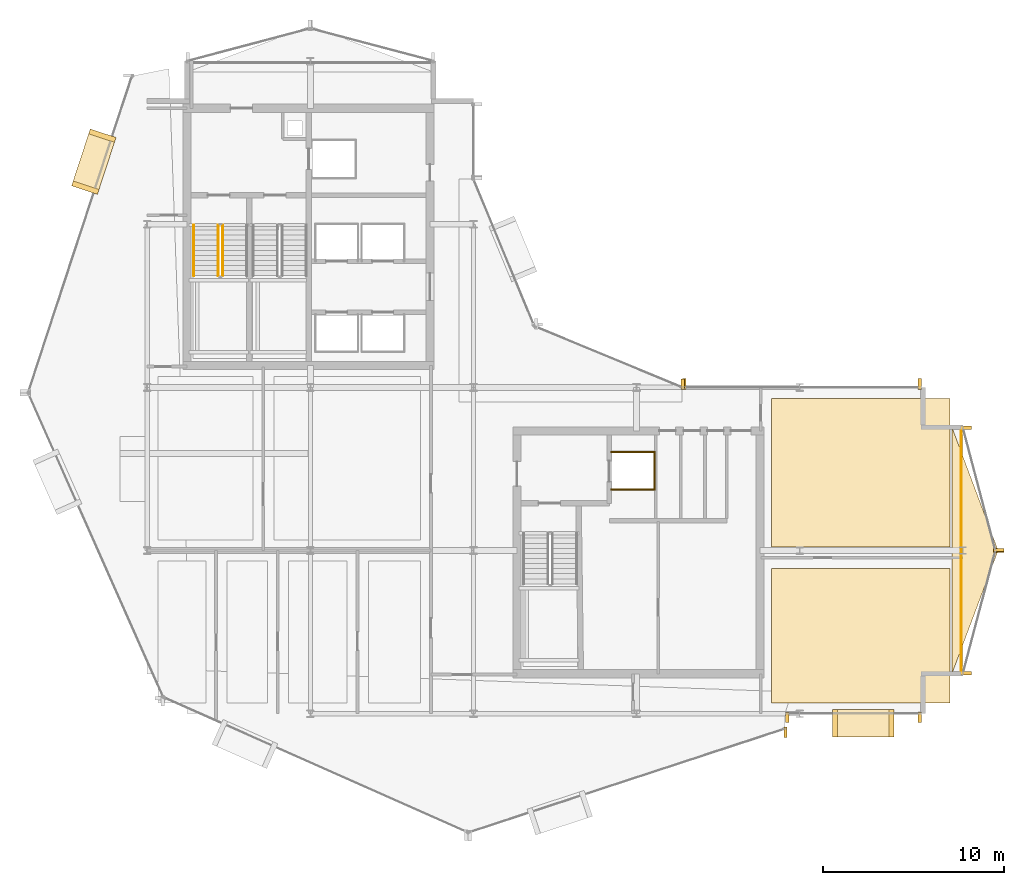
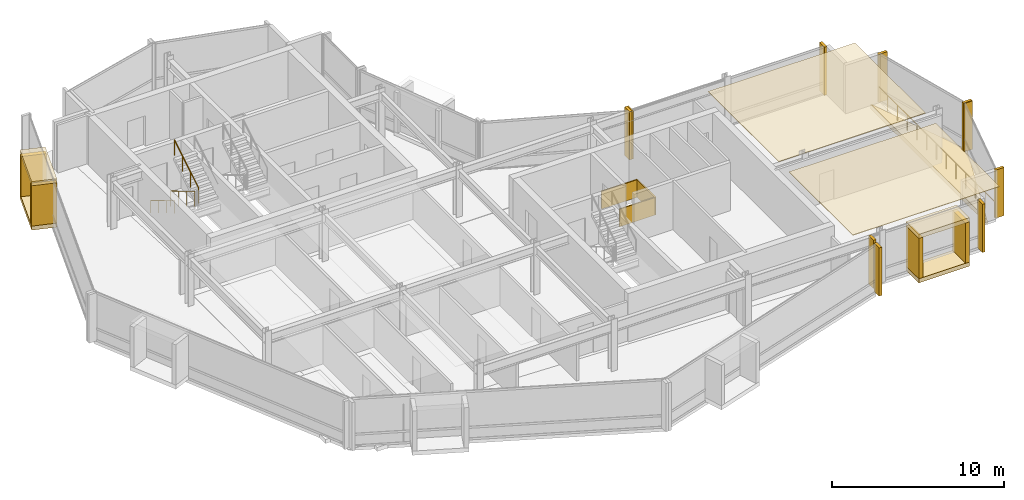
# One storey, part 26 of 27: 24 coverings, 4 railings.
"""IFC4 building model written with IfcOpenShell, lengths in metres."""

from ifc_helpers import new_model, si_unit, direction, frame, origin, origin_2d, place, context, subcontext, project, spatial, polyline, rectangle, circle, outline, extrude, material, layer, layer_set, type_object, element, save


model = new_model("IFC4")

# Units and contexts
model_context = context("Model", 3, precision=1e-05, world=origin(), true_north=direction((0.0, 1.0)))
body_context = subcontext(model_context, "Body", "Model", "MODEL_VIEW")
ifc_project = project(units=[si_unit("LENGTHUNIT", "METRE"), si_unit("AREAUNIT", "SQUARE_METRE"), si_unit("VOLUMEUNIT", "CUBIC_METRE"), si_unit("PLANEANGLEUNIT", "RADIAN"), si_unit("MASSUNIT", "GRAM", prefix="KILO")], contexts=[model_context])

# Site, building, storey
site_placement = place(None, origin())
site = spatial("IfcSite", under=ifc_project, at=site_placement, CompositionType="ELEMENT")
building_placement = place(site_placement, origin())
building = spatial("IfcBuilding", under=site, at=building_placement, Name="Solvaryn Broadcast Tower", CompositionType="ELEMENT")
storey_placement = place(building_placement, frame((0.0, 0.0, 224.699951171875)))
storey = spatial("IfcBuildingStorey", under=building, at=storey_placement, Name="L56", CompositionType="ELEMENT", Elevation=224.699951171875)

# Coverings
ifc_material_1 = material(Name="Micro-Perforated Acoustic Gypsum Ceiling", Category="concrete")
ifc_layer_1 = layer(ifc_material_1, 0.0400390625)
ifc_layer_set_1 = layer_set([ifc_layer_1], Name="CV-CEIL-ACOUSTIC")
covering_type_1 = type_object("IfcCoveringType", Name="CV-CEIL-ACOUSTIC", PredefinedType="CEILING", material=ifc_layer_set_1)
covering_1_placement = place(storey_placement, frame((0.0, 0.0, 3.380126953125)))
element("IfcCovering", 1, at=covering_1_placement, inside=storey, type_object=covering_type_1, Name="L56 Room Acoustic Ceiling 7", PredefinedType="CEILING", context=body_context, shape_type="SweptSolid", body=[
    extrude(outline(polyline([(43.449951171875, 9.60009765625), (53.300048828125, 9.60009765625), (53.300048828125, 17.0), (43.449951171875, 17.0), (43.449951171875, 9.60009765625)])), origin(), (0.0, 0.0, 1.0), 0.0400390625),
])
covering_2_placement = place(storey_placement, frame((0.0, 0.0, 3.380126953125)))
element("IfcCovering", 2, at=covering_2_placement, inside=storey, type_object=covering_type_1, Name="L56 Room Acoustic Ceiling 8", PredefinedType="CEILING", context=body_context, shape_type="SweptSolid", body=[
    extrude(outline(polyline([(43.449951171875, 18.199951171875), (53.300048828125, 18.199951171875), (53.300048828125, 26.39990234375), (43.449951171875, 26.39990234375), (43.449951171875, 18.199951171875)])), origin(), (0.0, 0.0, 1.0), 0.0400390625),
])
ifc_material_2 = material(Name="Fire-Rated Gypsum Shaftwall Liner", Category="concrete")
ifc_layer_2 = layer(ifc_material_2, 0.080078125)
ifc_layer_set_2 = layer_set([ifc_layer_2], Name="CV-SHAFT-LINER")
covering_type_2 = type_object("IfcCoveringType", Name="CV-SHAFT-LINER", PredefinedType="CLADDING", material=ifc_layer_set_2)
for number, where, z_axis, x_axis, name in (
    (3, (35.800048828125, 23.43994140625, 0.0), (0.0, 0.0, 1.0), (1.0, 0.0, 0.0), "L56 FL2 Hoistway Shaft Liner North"),
    (4, (35.800048828125, 21.360107421875, 0.0), (0.0, 0.0, 1.0), (1.0, 0.0, 0.0), "L56 FL2 Hoistway Shaft Liner South"),
):
    element("IfcCovering", number, at=place(storey_placement, frame(where, z_axis=z_axis, x_axis=x_axis)), inside=storey, type_object=covering_type_2, Name=name, PredefinedType="CLADDING", context=body_context, shape_type="SweptSolid", body=[
        extrude(rectangle(XDim=2.4599609375, YDim=0.080078125, at=origin_2d()), origin(), (0.0, 0.0, 1.0), 1.25),
    ])
covering_3_placement = place(storey_placement, frame((36.989990234375, 22.39990234375, 0.0), z_axis=(0.0, 0.0, 1.0), x_axis=(1.0, 0.0, 0.0)))
element("IfcCovering", 5, at=covering_3_placement, inside=storey, type_object=covering_type_2, Name="L56 FL2 Hoistway Shaft Liner East", PredefinedType="CLADDING", context=body_context, shape_type="SweptSolid", body=[
    extrude(rectangle(XDim=0.080078125, YDim=2.159912109375, at=origin_2d()), origin(), (0.0, 0.0, 1.0), 1.25),
])
ifc_material_3 = material(Name="Glazed Architectural Terracotta Rainscreen Cladding", Category="masonry")
ifc_layer_3 = layer(ifc_material_3, 0.280029296875)
ifc_layer_set_3 = layer_set([ifc_layer_3], Name="CV-TC-CLAD")
covering_type_3 = type_object("IfcCoveringType", Name="CV-TC-CLAD", PredefinedType="CLADDING", material=ifc_layer_set_3)
for number, where, z_axis, x_axis, name in (
    (6, (6.054931640625, 39.4541015625, 3.1298828125), (0.0, 0.0, 1.0), (-0.311505792684, -0.950244253402, 0.0), "L56 Projecting Stone Window Box Hood 1"),
    (7, (6.054931640625, 39.4541015625, -0.009765625), (0.0, 0.0, 1.0), (-0.311505792684, -0.950244253402, 0.0), "L56 Projecting Stone Window Box Sill 1"),
):
    element("IfcCovering", number, at=place(storey_placement, frame(where, z_axis=z_axis, x_axis=x_axis)), inside=storey, type_object=covering_type_3, Name=name, PredefinedType="CLADDING", context=body_context, shape_type="SweptSolid", body=[
        extrude(rectangle(XDim=3.300048828125, YDim=1.5, at=origin_2d()), origin(), (0.0, 0.0, 1.0), 0.300048828125),
    ])
for number, where, z_axis, x_axis, name in (
    (8, (6.525390625, 40.888916015625, 0.27978515625), (0.0, 0.0, 1.0), (-0.311505792684, -0.950244253402, 0.0), "L56 Projecting Stone Window Box Cheek 1-1"),
    (9, (5.584716796875, 38.01904296875, 0.27978515625), (0.0, 0.0, 1.0), (-0.311505792684, -0.950244253402, 0.0), "L56 Projecting Stone Window Box Cheek 1-2"),
):
    element("IfcCovering", number, at=place(storey_placement, frame(where, z_axis=z_axis, x_axis=x_axis)), inside=storey, type_object=covering_type_3, Name=name, PredefinedType="CLADDING", context=body_context, shape_type="SweptSolid", body=[
        extrude(rectangle(XDim=0.280029296875, YDim=1.5, at=origin_2d()), origin(), (0.0, 0.0, 1.0), 2.860107421875),
    ])
for number, where, z_axis, x_axis, name in (
    (10, (48.5, 8.469970703125, 3.1298828125), (0.0, 0.0, 1.0), (1.0, 0.0, 0.0), "L56 Projecting Stone Window Box Hood 6"),
    (11, (48.5, 8.469970703125, -0.009765625), (0.0, 0.0, 1.0), (1.0, 0.0, 0.0), "L56 Projecting Stone Window Box Sill 6"),
):
    element("IfcCovering", number, at=place(storey_placement, frame(where, z_axis=z_axis, x_axis=x_axis)), inside=storey, type_object=covering_type_3, Name=name, PredefinedType="CLADDING", context=body_context, shape_type="SweptSolid", body=[
        extrude(rectangle(XDim=3.39990234375, YDim=1.5, at=origin_2d()), origin(), (0.0, 0.0, 1.0), 0.300048828125),
    ])
for number, where, z_axis, x_axis, name in (
    (12, (46.93994140625, 8.469970703125, 0.27978515625), (0.0, 0.0, 1.0), (1.0, 0.0, 0.0), "L56 Projecting Stone Window Box Cheek 6-1"),
    (13, (50.06005859375, 8.469970703125, 0.27978515625), (0.0, 0.0, 1.0), (1.0, 0.0, 0.0), "L56 Projecting Stone Window Box Cheek 6-2"),
):
    element("IfcCovering", number, at=place(storey_placement, frame(where, z_axis=z_axis, x_axis=x_axis)), inside=storey, type_object=covering_type_3, Name=name, PredefinedType="CLADDING", context=body_context, shape_type="SweptSolid", body=[
        extrude(rectangle(XDim=0.280029296875, YDim=1.5, at=origin_2d()), origin(), (0.0, 0.0, 1.0), 2.860107421875),
    ])
ifc_material_4 = material(Name="Extruded Architectural Terracotta Fin", Category="masonry")
ifc_layer_4 = layer(ifc_material_4, 0.179931640625)
ifc_layer_set_4 = layer_set([ifc_layer_4], Name="CV-TC-FIN")
covering_type_4 = type_object("IfcCoveringType", Name="CV-TC-FIN", PredefinedType="USERDEFINED", material=ifc_layer_set_4)
for number, where, z_axis, x_axis, name in (
    (14, (44.209716796875, 7.982666015625, 0.0), (0.0, 0.0, 1.0), (1.0, 0.0, 0.0), "L56 Terracotta Vertical Fin FIN-L56-DR4-M01"),
    (15, (38.541259765625, 27.177978515625, 0.0), (0.0, 0.0, 1.0), (1.0, 0.0, 0.0), "L56 Terracotta Vertical Fin FIN-L56-CN1-M00"),
    (16, (44.31201171875, 8.8125, 0.0), (0.0, 0.0, 1.0), (1.0, 0.0, 0.0), "L56 Terracotta Vertical Fin FIN-L56-S2-M00"),
    (17, (51.6201171875, 8.8125, 0.0), (0.0, 0.0, 1.0), (1.0, 0.0, 0.0), "L56 Terracotta Vertical Fin FIN-L56-S2-M01"),
):
    element("IfcCovering", number, at=place(storey_placement, frame(where, z_axis=z_axis, x_axis=x_axis)), inside=storey, type_object=covering_type_4, Name=name, ObjectType="FIN", PredefinedType="USERDEFINED", context=body_context, shape_type="SweptSolid", body=[
        extrude(rectangle(XDim=0.179931640625, YDim=0.580078125, at=origin_2d()), origin(), (0.0, 0.0, 1.0), 3.419921875),
    ])
for number, where, z_axis, x_axis, name in (
    (18, (54.1953125, 24.77099609375, 0.0), (0.0, 0.0, 1.0), (1.0, 0.0, 0.0), "L56 Terracotta Vertical Fin FIN-L56-ET1-M00"),
    (19, (55.979736328125, 18.029052734375, 0.0), (0.0, 0.0, 1.0), (1.0, 0.0, 0.0), "L56 Terracotta Vertical Fin FIN-L56-ET1-M01"),
    (20, (55.979736328125, 17.970947265625, 0.0), (0.0, 0.0, 1.0), (1.0, 0.0, 0.0), "L56 Terracotta Vertical Fin FIN-L56-ET2-M00"),
    (21, (54.1953125, 11.22900390625, 0.0), (0.0, 0.0, 1.0), (1.0, 0.0, 0.0), "L56 Terracotta Vertical Fin FIN-L56-ET2-M01"),
):
    element("IfcCovering", number, at=place(storey_placement, frame(where, z_axis=z_axis, x_axis=x_axis)), inside=storey, type_object=covering_type_4, Name=name, ObjectType="FIN", PredefinedType="USERDEFINED", context=body_context, shape_type="SweptSolid", body=[
        extrude(rectangle(XDim=0.580078125, YDim=0.179931640625, at=origin_2d()), origin(), (0.0, 0.0, 1.0), 3.419921875),
    ])
for number, where, z_axis, x_axis, name in (
    (22, (38.6298828125, 27.1875, 0.0), (0.0, 0.0, 1.0), (1.0, 0.0, 0.0), "L56 Terracotta Vertical Fin FIN-L56-IH-M00"),
    (23, (51.6201171875, 27.1875, 0.0), (0.0, 0.0, 1.0), (1.0, 0.0, 0.0), "L56 Terracotta Vertical Fin FIN-L56-IH-M01"),
):
    element("IfcCovering", number, at=place(storey_placement, frame(where, z_axis=z_axis, x_axis=x_axis)), inside=storey, type_object=covering_type_4, Name=name, ObjectType="FIN", PredefinedType="USERDEFINED", context=body_context, shape_type="SweptSolid", body=[
        extrude(rectangle(XDim=0.179931640625, YDim=0.580078125, at=origin_2d()), origin(), (0.0, 0.0, 1.0), 3.419921875),
    ])
ifc_material_5 = material(Name="Sculpted Architectural Terracotta Wave Fascia", Category="masonry")
ifc_layer_5 = layer(ifc_material_5, 0.340087890625)
ifc_layer_set_5 = layer_set([ifc_layer_5], Name="CV-WAVE-TRAY")
covering_type_5 = type_object("IfcCoveringType", Name="CV-WAVE-TRAY", PredefinedType="CLADDING", material=ifc_layer_set_5)
covering_4_placement = place(storey_placement, frame((0.0, 0.0, -0.300048828125)))
element("IfcCovering", 24, at=covering_4_placement, inside=storey, type_object=covering_type_5, Name="L56 East Curved Wing Deck", PredefinedType="CLADDING", context=body_context, shape_type="SweptSolid", body=[
    extrude(outline(polyline([(53.39990234375, 11.199951171875), (55.949951171875, 18.0), (53.39990234375, 24.800048828125), (53.39990234375, 11.199951171875)])), origin(), (0.0, 0.0, 1.0), 0.330078125),
])

# Railings
ifc_material_6 = material(Name="Painted Steel Stair Well Guard", Category="steel")
railing_type_1 = type_object("IfcRailingType", Name="RL-STAIR-GUARD", PredefinedType="BALUSTRADE", material=ifc_material_6)
railing_1_placement = place(storey_placement, frame((12.909912109375, 35.9599609375, 0.168212890625)))
element("IfcRailing", 25, at=railing_1_placement, inside=storey, type_object=railing_type_1, Name="L56 ST1 stair guard 1", PredefinedType="BALUSTRADE", context=body_context, shape_type="SweptSolid", body=[
    extrude(circle(Radius=0.02392578125, at=origin_2d()), frame((0.0, 0.0, 1.076171875), z_axis=(0.0, -0.857242210791, 0.514913383045), x_axis=(1.0, 0.0, 0.0)), (0.0, 0.0, 1.0), 3.266357421875),
    extrude(circle(Radius=0.02099609375, at=origin_2d()), origin(), (0.0, 0.0, 1.0), 1.052001953125),
    extrude(circle(Radius=0.02099609375, at=origin_2d()), frame((0.0, -0.933349609375, 0.560546875)), (0.0, 0.0, 1.0), 1.052001953125),
    extrude(circle(Radius=0.02099609375, at=origin_2d()), frame((0.0, -1.86669921875, 1.121337890625)), (0.0, 0.0, 1.0), 1.052001953125),
    extrude(circle(Radius=0.02099609375, at=origin_2d()), frame((0.0, -2.800048828125, 1.681884765625)), (0.0, 0.0, 1.0), 1.052001953125),
])
railing_2_placement = place(storey_placement, frame((13.159912109375, 33.159912109375, 2.018310546875)))
element("IfcRailing", 26, at=railing_2_placement, inside=storey, type_object=railing_type_1, Name="L56 ST1 stair guard 3", PredefinedType="BALUSTRADE", context=body_context, shape_type="SweptSolid", body=[
    extrude(circle(Radius=0.02392578125, at=origin_2d()), frame((0.0, 0.0, 1.076171875), z_axis=(0.0, 0.857275202839, 0.514858452973), x_axis=(-1.0, 0.0, 0.0)), (0.0, 0.0, 1.0), 3.26611328125),
    extrude(circle(Radius=0.02099609375, at=origin_2d()), origin(), (0.0, 0.0, 1.0), 1.052001953125),
    extrude(circle(Radius=0.02099609375, at=origin_2d()), frame((0.0, 0.933349609375, 0.560546875)), (0.0, 0.0, 1.0), 1.052001953125),
    extrude(circle(Radius=0.02099609375, at=origin_2d()), frame((0.0, 1.86669921875, 1.12109375)), (0.0, 0.0, 1.0), 1.052001953125),
    extrude(circle(Radius=0.02099609375, at=origin_2d()), frame((0.0, 2.800048828125, 1.681640625)), (0.0, 0.0, 1.0), 1.052001953125),
])
ifc_material_7 = material(Name="Brushed Stainless Steel Tubular Handrail", Category="steel")
railing_type_2 = type_object("IfcRailingType", Name="RL-STAIR-HANDRAIL", PredefinedType="HANDRAIL", material=ifc_material_7)
railing_3_placement = place(storey_placement, frame((11.570068359375, 35.9599609375, 0.168212890625)))
element("IfcRailing", 27, at=railing_3_placement, inside=storey, type_object=railing_type_2, Name="L56 ST1 stair handrail 1", PredefinedType="HANDRAIL", context=body_context, shape_type="SweptSolid", body=[
    extrude(circle(Radius=0.02392578125, at=origin_2d()), frame((0.0, 0.0, 0.8759765625), z_axis=(0.0, -0.857242210791, 0.514913383045), x_axis=(1.0, 0.0, 0.0)), (0.0, 0.0, 1.0), 3.266357421875),
    extrude(circle(Radius=0.02099609375, at=origin_2d()), origin(), (0.0, 0.0, 1.0), 0.851806640625),
    extrude(circle(Radius=0.02099609375, at=origin_2d()), frame((0.0, -0.933349609375, 0.560546875)), (0.0, 0.0, 1.0), 0.851806640625),
    extrude(circle(Radius=0.02099609375, at=origin_2d()), frame((0.0, -1.86669921875, 1.121337890625)), (0.0, 0.0, 1.0), 0.851806640625),
    extrude(circle(Radius=0.02099609375, at=origin_2d()), frame((0.0, -2.800048828125, 1.681884765625)), (0.0, 0.0, 1.0), 0.851806640625),
])
ifc_material_8 = material(Name="Stainless Steel and Laminated Glass Guard", Category="steel")
railing_type_3 = type_object("IfcRailingType", Name="RL-TER-1150", PredefinedType="BALUSTRADE", material=ifc_material_8)
railing_4_placement = place(storey_placement, frame((53.919921875, 11.199951171875, 0.0)))
element("IfcRailing", 28, at=railing_4_placement, inside=storey, type_object=railing_type_3, Name="L56 East Wing Spandrel Edge Guard", PredefinedType="BALUSTRADE", context=body_context, shape_type="SweptSolid", body=[
    extrude(circle(Radius=0.02392578125, at=origin_2d()), frame((0.0, 0.0, 1.1259765625), z_axis=(0.0, 1.0, 0.0), x_axis=(-1.0, 0.0, 0.0)), (0.0, 0.0, 1.0), 13.60009765625),
    extrude(circle(Radius=0.02099609375, at=origin_2d()), origin(), (0.0, 0.0, 1.0), 1.101806640625),
    extrude(circle(Radius=0.02099609375, at=origin_2d()), frame((0.0, 1.13330078125, 0.0)), (0.0, 0.0, 1.0), 1.101806640625),
    extrude(circle(Radius=0.02099609375, at=origin_2d()), frame((0.0, 2.2666015625, 0.0)), (0.0, 0.0, 1.0), 1.101806640625),
    extrude(circle(Radius=0.02099609375, at=origin_2d()), frame((0.0, 3.39990234375, 0.0)), (0.0, 0.0, 1.0), 1.101806640625),
    extrude(circle(Radius=0.02099609375, at=origin_2d()), frame((0.0, 4.533447265625, 0.0)), (0.0, 0.0, 1.0), 1.101806640625),
    extrude(circle(Radius=0.02099609375, at=origin_2d()), frame((0.0, 5.666748046875, 0.0)), (0.0, 0.0, 1.0), 1.101806640625),
    extrude(circle(Radius=0.02099609375, at=origin_2d()), frame((0.0, 6.800048828125, 0.0)), (0.0, 0.0, 1.0), 1.101806640625),
    extrude(circle(Radius=0.02099609375, at=origin_2d()), frame((0.0, 7.933349609375, 0.0)), (0.0, 0.0, 1.0), 1.101806640625),
    extrude(circle(Radius=0.02099609375, at=origin_2d()), frame((0.0, 9.066650390625, 0.0)), (0.0, 0.0, 1.0), 1.101806640625),
    extrude(circle(Radius=0.02099609375, at=origin_2d()), frame((0.0, 10.2001953125, 0.0)), (0.0, 0.0, 1.0), 1.101806640625),
    extrude(circle(Radius=0.02099609375, at=origin_2d()), frame((0.0, 11.33349609375, 0.0)), (0.0, 0.0, 1.0), 1.101806640625),
    extrude(circle(Radius=0.02099609375, at=origin_2d()), frame((0.0, 12.466796875, 0.0)), (0.0, 0.0, 1.0), 1.101806640625),
    extrude(circle(Radius=0.02099609375, at=origin_2d()), frame((0.0, 13.60009765625, 0.0)), (0.0, 0.0, 1.0), 1.101806640625),
])

save(model, "model.ifc")
